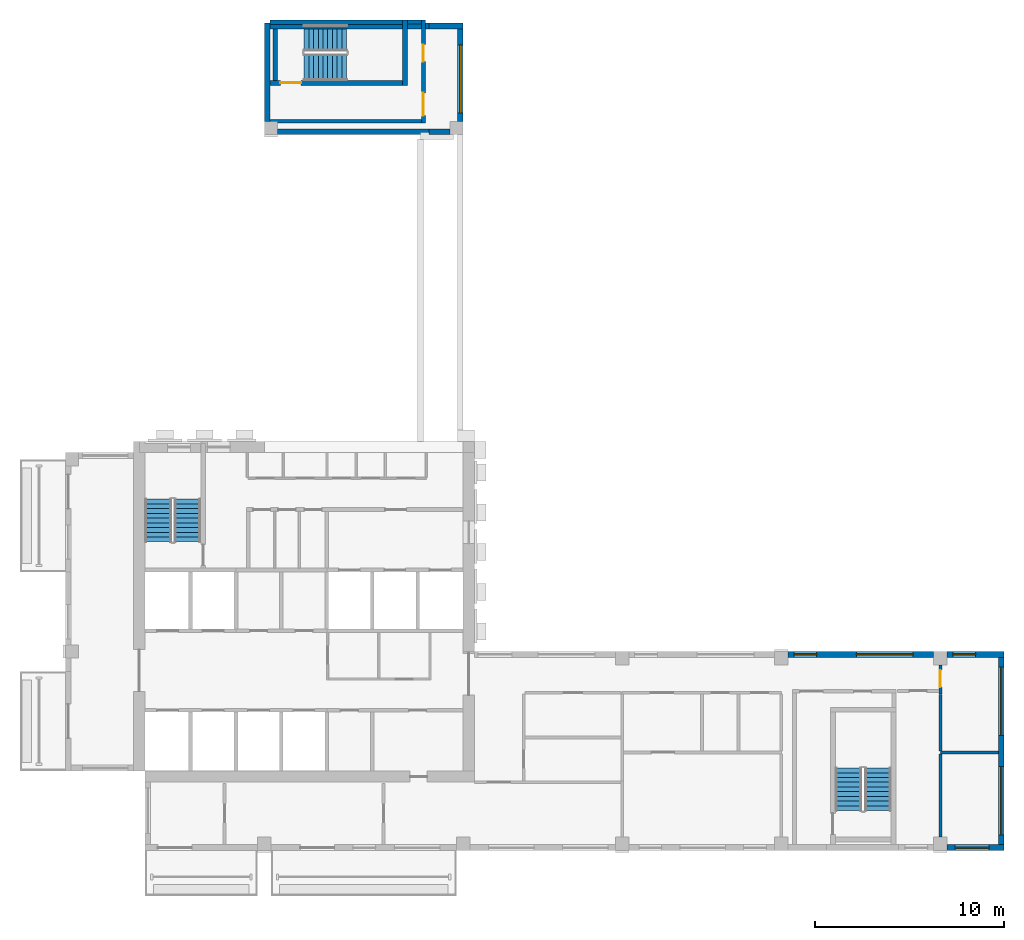
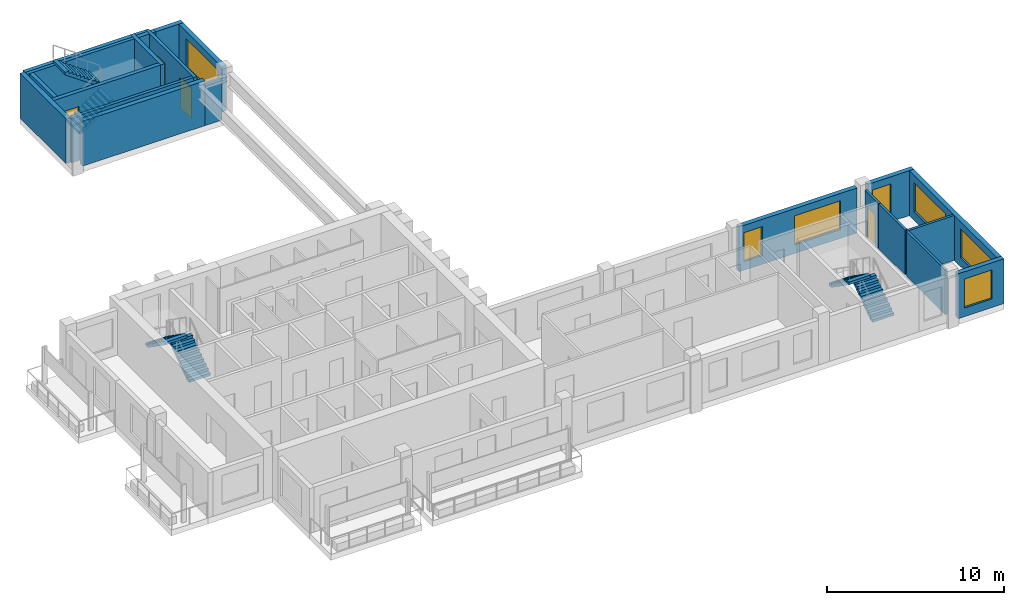
# One storey, part 5 of 9: 21 walls, 7 windows, 6 stair flights, 4 doors, 11 openings, 3 elements without a shape of their own.
"""IFC4 building model written with IfcOpenShell, lengths in metres."""

from ifc_helpers import new_model, si_unit, direction, frame, frame_2d, origin, place, context, subcontext, project, spatial, polyline, rectangle, outline, extrude, source, transform, mapped, material, layer, layer_set, type_object, element, fill, aggregate, save


model = new_model("IFC4")

# Units and contexts
model_context = context("Model", 3, precision=1e-05, world=origin(), true_north=direction((0.0, 1.0)))
body_context = subcontext(model_context, "Body", "Model", "MODEL_VIEW")
ifc_project = project(units=[si_unit("LENGTHUNIT", "METRE"), si_unit("AREAUNIT", "SQUARE_METRE"), si_unit("VOLUMEUNIT", "CUBIC_METRE"), si_unit("PLANEANGLEUNIT", "RADIAN"), si_unit("MASSUNIT", "GRAM", prefix="KILO")], contexts=[model_context])

# Site, building, storey
site_placement = place(None, origin())
site = spatial("IfcSite", under=ifc_project, at=site_placement, CompositionType="ELEMENT")
building_placement = place(site_placement, origin())
building = spatial("IfcBuilding", under=site, at=building_placement, Name="Aurelian Terraces", CompositionType="ELEMENT")
storey_placement = place(building_placement, frame((0.0, 0.0, 319.5)))
storey = spatial("IfcBuildingStorey", under=building, at=storey_placement, Name="L74", CompositionType="ELEMENT", Elevation=319.5)

# Wall, openings, windows
ifc_material_1 = material(Name="Terracotta rainscreen cladding", Category="masonry")
ifc_layer_1 = layer(ifc_material_1, 0.3)
ifc_layer_set_1 = layer_set([ifc_layer_1], Name="EW-300")
wall_type_1 = type_object("IfcWallType", Name="EW-300", PredefinedType="STANDARD", material=ifc_layer_set_1)
shared_shape_1 = source(origin(), body_context, "Body", "SweptSolid", [
    extrude(rectangle(XDim=7.7, YDim=0.3, at=frame_2d((3.85, 0.0))), origin(), (0.0, 0.0, 1.0), 3.1),
])
wall_1_placement = place(storey_placement, frame((45.85, 10.35, 0.0), z_axis=(0.0, 0.0, 1.0), x_axis=(-1.0, 0.0, 0.0)))
wall_1 = element("IfcWall", 1, at=wall_1_placement, inside=storey, type_object=wall_type_1, Name="External wall L74 F03.8", PredefinedType="STANDARD", context=body_context, shape_type="MappedRepresentation", body=[
    mapped(shared_shape_1, transform((0.0, 0.0, 0.0), scale=1.0)),
])
shared_shape_2 = source(origin(), body_context, "Body", "SweptSolid", [
    extrude(rectangle(XDim=3.0, YDim=2.0, at=frame_2d((1.5, 1.0))), frame((0.0, 0.16, 0.0), z_axis=(0.0, -1.0, 0.0), x_axis=(1.0, 0.0, 0.0)), (0.0, 0.0, 1.0), 0.32),
])
opening_1_placement = place(wall_1_placement, frame((1.09, 0.0, 0.6)))
opening_1 = element("IfcOpeningElement", 2, at=opening_1_placement, cuts=wall_1, Name="Opening W3020", PredefinedType="OPENING", context=body_context, shape_type="MappedRepresentation", body=[
    mapped(shared_shape_2, transform((0.0, 0.0, 0.0), scale=1.0)),
])
shared_shape_3 = source(origin(), body_context, "Body", "SweptSolid", [
    extrude(rectangle(XDim=1.2, YDim=2.0, at=frame_2d((0.6, 1.0))), frame((0.0, 0.16, 0.0), z_axis=(0.0, -1.0, 0.0), x_axis=(1.0, 0.0, 0.0)), (0.0, 0.0, 1.0), 0.32),
])
opening_2_placement = place(wall_1_placement, frame((6.19, 0.0, 0.6)))
opening_2 = element("IfcOpeningElement", 3, at=opening_2_placement, cuts=wall_1, Name="Opening W1220", PredefinedType="OPENING", context=body_context, shape_type="MappedRepresentation", body=[
    mapped(shared_shape_3, transform((0.0, 0.0, 0.0), scale=1.0)),
])
ifc_material_2 = material(Name="Clear glazing", Category="glass")
window_type_1 = type_object("IfcWindowType", Name="W-3000x2000", PartitioningType="SINGLE_PANEL", PredefinedType="WINDOW", material=ifc_material_2)
shared_shape_4 = source(origin(), body_context, "Body", "SweptSolid", [
    extrude(rectangle(XDim=3.0, YDim=2.0, at=frame_2d((1.5, 1.0))), frame((0.0, 0.03, 0.0), z_axis=(0.0, -1.0, 0.0), x_axis=(1.0, 0.0, 0.0)), (0.0, 0.0, 1.0), 0.06),
])
window_1_placement = place(opening_1_placement, origin())
window_1 = element("IfcWindow", 4, at=window_1_placement, inside=storey, type_object=window_type_1, Name="Window L74 L74-F03-08-1", OverallHeight=2.0, OverallWidth=3.0, PartitioningType="SINGLE_PANEL", PredefinedType="WINDOW", context=body_context, shape_type="MappedRepresentation", body=[
    mapped(shared_shape_4, transform((0.0, 0.0, 0.0), scale=1.0)),
])
fill(opening_1, window_1)
window_type_2 = type_object("IfcWindowType", Name="W-1200x2000", PartitioningType="SINGLE_PANEL", PredefinedType="WINDOW", material=ifc_material_2)
shared_shape_5 = source(origin(), body_context, "Body", "SweptSolid", [
    extrude(rectangle(XDim=1.2, YDim=2.0, at=frame_2d((0.6, 1.0))), frame((0.0, 0.03, 0.0), z_axis=(0.0, -1.0, 0.0), x_axis=(1.0, 0.0, 0.0)), (0.0, 0.0, 1.0), 0.06),
])
window_2_placement = place(opening_2_placement, origin())
window_2 = element("IfcWindow", 5, at=window_2_placement, inside=storey, type_object=window_type_2, Name="Window L74 L74-F03-08-2", OverallHeight=2.0, OverallWidth=1.2, PartitioningType="SINGLE_PANEL", PredefinedType="WINDOW", context=body_context, shape_type="MappedRepresentation", body=[
    mapped(shared_shape_5, transform((0.0, 0.0, 0.0), scale=1.0)),
])
fill(opening_2, window_2)

# Wall, opening, window
shared_shape_6 = source(origin(), body_context, "Body", "SweptSolid", [
    extrude(rectangle(XDim=3.01, YDim=0.3, at=frame_2d((1.505, 0.0))), origin(), (0.0, 0.0, 1.0), 3.1),
])
wall_2_placement = place(storey_placement, frame((46.55, 0.15, 0.0), z_axis=(0.0, 0.0, 1.0), x_axis=(1.0, 0.0, 0.0)))
wall_2 = element("IfcWall", 6, at=wall_2_placement, inside=storey, type_object=wall_type_1, Name="External wall L74 F01.6", PredefinedType="STANDARD", context=body_context, shape_type="MappedRepresentation", body=[
    mapped(shared_shape_6, transform((0.0, 0.0, 0.0), scale=1.0)),
])
shared_shape_7 = source(origin(), body_context, "Body", "SweptSolid", [
    extrude(rectangle(XDim=1.8, YDim=2.0, at=frame_2d((0.9, 1.0))), frame((0.0, 0.16, 0.0), z_axis=(0.0, -1.0, 0.0), x_axis=(1.0, 0.0, 0.0)), (0.0, 0.0, 1.0), 0.32),
])
opening_3_placement = place(wall_2_placement, frame((0.43, 0.0, 0.6)))
opening_3 = element("IfcOpeningElement", 7, at=opening_3_placement, cuts=wall_2, Name="Opening W1820", PredefinedType="OPENING", context=body_context, shape_type="MappedRepresentation", body=[
    mapped(shared_shape_7, transform((0.0, 0.0, 0.0), scale=1.0)),
])
window_type_3 = type_object("IfcWindowType", Name="W-1800x2000", PartitioningType="SINGLE_PANEL", PredefinedType="WINDOW", material=ifc_material_2)
shared_shape_8 = source(origin(), body_context, "Body", "SweptSolid", [
    extrude(rectangle(XDim=1.8, YDim=2.0, at=frame_2d((0.9, 1.0))), frame((0.0, 0.03, 0.0), z_axis=(0.0, -1.0, 0.0), x_axis=(1.0, 0.0, 0.0)), (0.0, 0.0, 1.0), 0.06),
])
window_3_placement = place(opening_3_placement, origin())
window_3 = element("IfcWindow", 8, at=window_3_placement, inside=storey, type_object=window_type_3, Name="Window L74 L74-F01-06-0", OverallHeight=2.0, OverallWidth=1.8, PartitioningType="SINGLE_PANEL", PredefinedType="WINDOW", context=body_context, shape_type="MappedRepresentation", body=[
    mapped(shared_shape_8, transform((0.0, 0.0, 0.0), scale=1.0)),
])
fill(opening_3, window_3)

wall_3_placement = place(storey_placement, frame((49.56, 10.35, 0.0), z_axis=(0.0, 0.0, 1.0), x_axis=(-1.0, 0.0, 0.0)))
wall_3 = element("IfcWall", 9, at=wall_3_placement, inside=storey, type_object=wall_type_1, Name="External wall L74 F03.8", PredefinedType="STANDARD", context=body_context, shape_type="MappedRepresentation", body=[
    mapped(shared_shape_6, transform((0.0, 0.0, 0.0), scale=1.0)),
])
opening_4_placement = place(wall_3_placement, frame((1.5, 0.0, 0.6)))
opening_4 = element("IfcOpeningElement", 10, at=opening_4_placement, cuts=wall_3, Name="Opening W1220", PredefinedType="OPENING", context=body_context, shape_type="MappedRepresentation", body=[
    mapped(shared_shape_3, transform((0.0, 0.0, 0.0), scale=1.0)),
])
window_4_placement = place(opening_4_placement, origin())
window_4 = element("IfcWindow", 11, at=window_4_placement, inside=storey, type_object=window_type_2, Name="Window L74 L74-F03-08-0", OverallHeight=2.0, OverallWidth=1.2, PartitioningType="SINGLE_PANEL", PredefinedType="WINDOW", context=body_context, shape_type="MappedRepresentation", body=[
    mapped(shared_shape_5, transform((0.0, 0.0, 0.0), scale=1.0)),
])
fill(opening_4, window_4)

# Wall, openings, windows
shared_shape_9 = source(origin(), body_context, "Body", "SweptSolid", [
    extrude(rectangle(XDim=10.5, YDim=0.3, at=frame_2d((5.25, 0.0))), origin(), (0.0, 0.0, 1.0), 3.1),
])
wall_4_placement = place(storey_placement, frame((49.41, 0.0, 0.0), z_axis=(0.0, 0.0, 1.0), x_axis=(0.0, 1.0, 0.0)))
wall_4 = element("IfcWall", 12, at=wall_4_placement, inside=storey, type_object=wall_type_1, Name="External wall L74 F02.7", PredefinedType="STANDARD", context=body_context, shape_type="MappedRepresentation", body=[
    mapped(shared_shape_9, transform((0.0, 0.0, 0.0), scale=1.0)),
])
shared_shape_10 = source(origin(), body_context, "Body", "SweptSolid", [
    extrude(rectangle(XDim=3.6, YDim=2.0, at=frame_2d((1.8, 1.0))), frame((0.0, 0.16, 0.0), z_axis=(0.0, -1.0, 0.0), x_axis=(1.0, 0.0, 0.0)), (0.0, 0.0, 1.0), 0.32),
])
opening_5_placement = place(wall_4_placement, frame((0.825, 0.0, 0.6)))
opening_5 = element("IfcOpeningElement", 13, at=opening_5_placement, cuts=wall_4, Name="Opening W3620", PredefinedType="OPENING", context=body_context, shape_type="MappedRepresentation", body=[
    mapped(shared_shape_10, transform((0.0, 0.0, 0.0), scale=1.0)),
])
opening_6_placement = place(wall_4_placement, frame((6.075, 0.0, 0.6)))
opening_6 = element("IfcOpeningElement", 14, at=opening_6_placement, cuts=wall_4, Name="Opening W3620", PredefinedType="OPENING", context=body_context, shape_type="MappedRepresentation", body=[
    mapped(shared_shape_10, transform((0.0, 0.0, 0.0), scale=1.0)),
])
window_type_4 = type_object("IfcWindowType", Name="W-3600x2000", PartitioningType="SINGLE_PANEL", PredefinedType="WINDOW", material=ifc_material_2)
shared_shape_11 = source(origin(), body_context, "Body", "SweptSolid", [
    extrude(rectangle(XDim=3.6, YDim=2.0, at=frame_2d((1.8, 1.0))), frame((0.0, 0.03, 0.0), z_axis=(0.0, -1.0, 0.0), x_axis=(1.0, 0.0, 0.0)), (0.0, 0.0, 1.0), 0.06),
])
window_5_placement = place(opening_5_placement, origin())
window_5 = element("IfcWindow", 15, at=window_5_placement, inside=storey, type_object=window_type_4, Name="Window L74 L74-F02-07-0", OverallHeight=2.0, OverallWidth=3.6, PartitioningType="SINGLE_PANEL", PredefinedType="WINDOW", context=body_context, shape_type="MappedRepresentation", body=[
    mapped(shared_shape_11, transform((0.0, 0.0, 0.0), scale=1.0)),
])
fill(opening_5, window_5)
window_6_placement = place(opening_6_placement, origin())
window_6 = element("IfcWindow", 16, at=window_6_placement, inside=storey, type_object=window_type_4, Name="Window L74 L74-F02-07-1", OverallHeight=2.0, OverallWidth=3.6, PartitioningType="SINGLE_PANEL", PredefinedType="WINDOW", context=body_context, shape_type="MappedRepresentation", body=[
    mapped(shared_shape_11, transform((0.0, 0.0, 0.0), scale=1.0)),
])
fill(opening_6, window_6)

# Walls
shared_shape_12 = source(origin(), body_context, "Body", "SweptSolid", [
    extrude(rectangle(XDim=1.8, YDim=0.3, at=frame_2d((0.9, 0.0))), origin(), (0.0, 0.0, 1.0), 3.1),
])
wall_5_placement = place(storey_placement, frame((21.0, 43.53, 0.0), z_axis=(0.0, 0.0, 1.0), x_axis=(-1.0, 0.0, 0.0)))
element("IfcWall", 17, at=wall_5_placement, inside=storey, type_object=wall_type_1, Name="External wall L74 F17.25", PredefinedType="STANDARD", context=body_context, shape_type="MappedRepresentation", body=[
    mapped(shared_shape_12, transform((0.0, 0.0, 0.0), scale=1.0)),
])
ifc_material_3 = material(Name="Concrete fc' 40 MPa", Category="concrete")
ifc_layer_2 = layer(ifc_material_3, 0.3)
ifc_layer_set_2 = layer_set([ifc_layer_2], Name="STAIR BAY WALL 300")
wall_type_2 = type_object("IfcWallType", Name="STAIR BAY WALL 300", PredefinedType="SOLIDWALL", material=ifc_layer_set_2)
shared_shape_13 = source(origin(), body_context, "Body", "SweptSolid", [
    extrude(rectangle(XDim=8.6, YDim=0.3, at=frame_2d((4.3, 0.0))), origin(), (0.0, 0.0, 1.0), 3.1),
])
wall_6_placement = place(storey_placement, frame((19.2, 43.53, 0.0), z_axis=(0.0, 0.0, 1.0), x_axis=(-1.0, 0.0, 0.0)))
element("IfcWall", 18, at=wall_6_placement, inside=storey, type_object=wall_type_2, Name="Stair bay wall L74 F17.25", PredefinedType="SOLIDWALL", context=body_context, shape_type="MappedRepresentation", body=[
    mapped(shared_shape_13, transform((0.0, 0.0, 0.0), scale=1.0)),
])
shared_shape_14 = source(origin(), body_context, "Body", "SweptSolid", [
    extrude(rectangle(XDim=8.0, YDim=0.3, at=frame_2d((4.0, 0.0))), origin(), (0.0, 0.0, 1.0), 3.1),
])
wall_7_placement = place(storey_placement, frame((11.2, 37.95, 0.0), z_axis=(0.0, 0.0, 1.0), x_axis=(1.0, 0.0, 0.0)))
element("IfcWall", 19, at=wall_7_placement, inside=storey, type_object=wall_type_2, Name="Stair bay wall L74 F15.23", PredefinedType="SOLIDWALL", context=body_context, shape_type="MappedRepresentation", body=[
    mapped(shared_shape_14, transform((0.0, 0.0, 0.0), scale=1.0)),
])

# Wall, opening, window
shared_shape_15 = source(origin(), body_context, "Body", "SweptSolid", [
    extrude(rectangle(XDim=5.18, YDim=0.3, at=frame_2d((2.59, 0.0))), origin(), (0.0, 0.0, 1.0), 3.1),
])
wall_8_placement = place(storey_placement, frame((20.85, 38.5, 0.0), z_axis=(0.0, 0.0, 1.0), x_axis=(0.0, 1.0, 0.0)))
wall_8 = element("IfcWall", 20, at=wall_8_placement, inside=storey, type_object=wall_type_1, Name="External wall L74 F16.24", PredefinedType="STANDARD", context=body_context, shape_type="MappedRepresentation", body=[
    mapped(shared_shape_15, transform((0.0, 0.0, 0.0), scale=1.0)),
])
opening_7_placement = place(wall_8_placement, frame((0.44, 0.0, 0.6)))
opening_7 = element("IfcOpeningElement", 21, at=opening_7_placement, cuts=wall_8, Name="Opening W3620", PredefinedType="OPENING", context=body_context, shape_type="MappedRepresentation", body=[
    mapped(shared_shape_10, transform((0.0, 0.0, 0.0), scale=1.0)),
])
window_7_placement = place(opening_7_placement, origin())
window_7 = element("IfcWindow", 22, at=window_7_placement, inside=storey, type_object=window_type_4, Name="Window L74 L74-F16-24-0", OverallHeight=2.0, OverallWidth=3.6, PartitioningType="SINGLE_PANEL", PredefinedType="WINDOW", context=body_context, shape_type="MappedRepresentation", body=[
    mapped(shared_shape_11, transform((0.0, 0.0, 0.0), scale=1.0)),
])
fill(opening_7, window_7)

# Walls
shared_shape_16 = source(origin(), body_context, "Body", "SweptSolid", [
    extrude(rectangle(XDim=5.18, YDim=0.3, at=frame_2d((2.59, 0.0))), origin(), (0.0, 0.0, 1.0), 3.1),
])
wall_9_placement = place(storey_placement, frame((10.65, 43.68, 0.0), z_axis=(0.0, 0.0, 1.0), x_axis=(0.0, -1.0, 0.0)))
element("IfcWall", 23, at=wall_9_placement, inside=storey, type_object=wall_type_2, Name="Stair bay wall L74 F18.26", PredefinedType="SOLIDWALL", context=body_context, shape_type="MappedRepresentation", body=[
    mapped(shared_shape_16, transform((0.0, 0.0, 0.0), scale=1.0)),
])
shared_shape_17 = source(origin(), body_context, "Body", "SweptSolid", [
    extrude(rectangle(XDim=1.1, YDim=0.3, at=frame_2d((0.55, 0.0))), origin(), (0.0, 0.0, 1.0), 2.7438),
])
wall_10_placement = place(storey_placement, frame((19.2, 37.95, 0.0), z_axis=(0.0, 0.0, 1.0), x_axis=(1.0, 0.0, 0.0)))
element("IfcWall", 24, at=wall_10_placement, inside=storey, type_object=wall_type_1, Name="External wall L74 F15.23", PredefinedType="STANDARD", context=body_context, shape_type="MappedRepresentation", body=[
    mapped(shared_shape_17, transform((0.0, 0.0, 0.0), scale=1.0)),
])

# Wall, opening, door
ifc_layer_3 = layer(ifc_material_3, 0.25)
ifc_layer_set_3 = layer_set([ifc_layer_3], Name="Stair enclosure wall 250")
wall_type_3 = type_object("IfcWallType", Name="Stair enclosure wall 250", PredefinedType="SOLIDWALL", material=ifc_layer_set_3)
shared_shape_18 = source(origin(), body_context, "Body", "SweptSolid", [
    extrude(rectangle(XDim=7.0, YDim=0.25, at=frame_2d((3.5, 0.0))), origin(), (0.0, 0.0, 1.0), 3.1),
])
wall_11_placement = place(storey_placement, frame((10.8, 40.525, 0.0), z_axis=(0.0, 0.0, 1.0), x_axis=(1.0, 0.0, 0.0)))
wall_11 = element("IfcWall", 25, at=wall_11_placement, inside=storey, type_object=wall_type_3, Name="L74 core wall ST-S3U-W", PredefinedType="SOLIDWALL", context=body_context, shape_type="MappedRepresentation", body=[
    mapped(shared_shape_18, transform((0.0, 0.0, 0.0), scale=1.0)),
])
shared_shape_19 = source(origin(), body_context, "Body", "SweptSolid", [
    extrude(rectangle(XDim=1.1, YDim=2.1, at=frame_2d((0.55, 1.05))), frame((0.0, 0.135, 0.0), z_axis=(0.0, -1.0, 0.0), x_axis=(1.0, 0.0, 0.0)), (0.0, 0.0, 1.0), 0.27),
])
opening_8_placement = place(wall_11_placement, frame((0.55, 0.0, 0.0)))
opening_8 = element("IfcOpeningElement", 26, at=opening_8_placement, cuts=wall_11, Name="Opening 67728", PredefinedType="OPENING", context=body_context, shape_type="MappedRepresentation", body=[
    mapped(shared_shape_19, transform((0.0, 0.0, 0.0), scale=1.0)),
])
ifc_material_4 = material(Name="Steel door leaf", Category="steel")
door_type_1 = type_object("IfcDoorType", Name="Core fire door 1100x2100 right", OperationType="SINGLE_SWING_RIGHT", PredefinedType="DOOR", material=ifc_material_4)
shared_shape_20 = source(origin(), body_context, "Body", "SweptSolid", [
    extrude(rectangle(XDim=1.1, YDim=2.1, at=frame_2d((0.55, 1.05))), frame((0.0, 0.025, 0.0), z_axis=(0.0, -1.0, 0.0), x_axis=(1.0, 0.0, 0.0)), (0.0, 0.0, 1.0), 0.05),
])
door_1_placement = place(opening_8_placement, origin())
door_1 = element("IfcDoor", 27, at=door_1_placement, inside=storey, type_object=door_type_1, Name="Stair door 67728", OperationType="SINGLE_SWING_RIGHT", OverallHeight=2.1, OverallWidth=1.1, PredefinedType="DOOR", context=body_context, shape_type="MappedRepresentation", body=[
    mapped(shared_shape_20, transform((0.0, 0.0, 0.0), scale=1.0)),
])
fill(opening_8, door_1)

# Walls
wall_12_placement = place(storey_placement, frame((10.8, 43.725, 0.0), z_axis=(0.0, 0.0, 1.0), x_axis=(1.0, 0.0, 0.0)))
element("IfcWall", 28, at=wall_12_placement, inside=storey, type_object=wall_type_3, Name="L74 core wall ST-S3U-E", PredefinedType="SOLIDWALL", context=body_context, shape_type="MappedRepresentation", body=[
    mapped(shared_shape_18, transform((0.0, 0.0, 0.0), scale=1.0)),
])
shared_shape_21 = source(origin(), body_context, "Body", "SweptSolid", [
    extrude(rectangle(XDim=3.45, YDim=0.25, at=frame_2d((1.725, 0.0))), origin(), (0.0, 0.0, 1.0), 3.1),
])
wall_13_placement = place(storey_placement, frame((17.925, 40.4, 0.0), z_axis=(0.0, 0.0, 1.0), x_axis=(0.0, 1.0, 0.0)))
element("IfcWall", 29, at=wall_13_placement, inside=storey, type_object=wall_type_3, Name="L74 core wall ST-S3U-N", PredefinedType="SOLIDWALL", context=body_context, shape_type="MappedRepresentation", body=[
    mapped(shared_shape_21, transform((0.0, 0.0, 0.0), scale=1.0)),
])
ifc_material_5 = material(Name="Gypsum board on steel studs", Category="steel")
ifc_layer_4 = layer(ifc_material_5, 0.2)
ifc_layer_set_4 = layer_set([ifc_layer_4], Name="Core partition 200")
wall_type_4 = type_object("IfcWallType", Name="Core partition 200", PredefinedType="PARTITIONING", material=ifc_layer_set_4)
shared_shape_22 = source(origin(), body_context, "Body", "SweptSolid", [
    extrude(rectangle(XDim=8.0, YDim=0.2, at=frame_2d((4.0, 0.0))), origin(), (0.0, 0.0, 1.0), 3.1),
])
wall_14_placement = place(storey_placement, frame((10.8, 38.5, 0.0), z_axis=(0.0, 0.0, 1.0), x_axis=(1.0, 0.0, 0.0)))
element("IfcWall", 30, at=wall_14_placement, inside=storey, type_object=wall_type_4, Name="L74 core wall ST-S3U-VW", PredefinedType="PARTITIONING", context=body_context, shape_type="MappedRepresentation", body=[
    mapped(shared_shape_22, transform((0.0, 0.0, 0.0), scale=1.0)),
])

# Wall, openings, doors
shared_shape_23 = source(origin(), body_context, "Body", "SweptSolid", [
    extrude(rectangle(XDim=5.45, YDim=0.2, at=frame_2d((2.725, 0.0))), origin(), (0.0, 0.0, 1.0), 3.1),
])
wall_15_placement = place(storey_placement, frame((18.9, 38.4, 0.0), z_axis=(0.0, 0.0, 1.0), x_axis=(0.0, 1.0, 0.0)))
wall_15 = element("IfcWall", 31, at=wall_15_placement, inside=storey, type_object=wall_type_4, Name="L74 core wall ST-S3U-BN", PredefinedType="PARTITIONING", context=body_context, shape_type="MappedRepresentation", body=[
    mapped(shared_shape_23, transform((0.0, 0.0, 0.0), scale=1.0)),
])
shared_shape_24 = source(origin(), body_context, "Body", "SweptSolid", [
    extrude(rectangle(XDim=1.2, YDim=2.1, at=frame_2d((0.6, 1.05))), frame((0.0, 0.11, 0.0), z_axis=(0.0, -1.0, 0.0), x_axis=(1.0, 0.0, 0.0)), (0.0, 0.0, 1.0), 0.22),
])
opening_9_placement = place(wall_15_placement, frame((0.4, 0.0, 0.0)))
opening_9 = element("IfcOpeningElement", 32, at=opening_9_placement, cuts=wall_15, Name="Opening 67729", PredefinedType="OPENING", context=body_context, shape_type="MappedRepresentation", body=[
    mapped(shared_shape_24, transform((0.0, 0.0, 0.0), scale=1.0)),
])
shared_shape_25 = source(origin(), body_context, "Body", "SweptSolid", [
    extrude(rectangle(XDim=0.9, YDim=2.1, at=frame_2d((0.45, 1.05))), frame((0.0, 0.11, 0.0), z_axis=(0.0, -1.0, 0.0), x_axis=(1.0, 0.0, 0.0)), (0.0, 0.0, 1.0), 0.22),
])
opening_10_placement = place(wall_15_placement, frame((3.25, 0.0, 0.0)))
opening_10 = element("IfcOpeningElement", 33, at=opening_10_placement, cuts=wall_15, Name="Opening 67730", PredefinedType="OPENING", context=body_context, shape_type="MappedRepresentation", body=[
    mapped(shared_shape_25, transform((0.0, 0.0, 0.0), scale=1.0)),
])
door_type_2 = type_object("IfcDoorType", Name="Core riser door 900x2100 right", OperationType="SINGLE_SWING_RIGHT", PredefinedType="DOOR", material=ifc_material_4)
shared_shape_26 = source(origin(), body_context, "Body", "SweptSolid", [
    extrude(rectangle(XDim=0.9, YDim=2.1, at=frame_2d((0.45, 1.05))), frame((0.0, 0.025, 0.0), z_axis=(0.0, -1.0, 0.0), x_axis=(1.0, 0.0, 0.0)), (0.0, 0.0, 1.0), 0.05),
])
door_2_placement = place(opening_10_placement, origin())
door_2 = element("IfcDoor", 34, at=door_2_placement, inside=storey, type_object=door_type_2, Name="Riser door 67730", OperationType="SINGLE_SWING_RIGHT", OverallHeight=2.1, OverallWidth=0.9, PredefinedType="DOOR", context=body_context, shape_type="MappedRepresentation", body=[
    mapped(shared_shape_26, transform((0.0, 0.0, 0.0), scale=1.0)),
])
fill(opening_10, door_2)
door_type_3 = type_object("IfcDoorType", Name="Core fire door 1200x2100", OperationType="SINGLE_SWING_LEFT", PredefinedType="DOOR", material=ifc_material_4)
shared_shape_27 = source(origin(), body_context, "Body", "SweptSolid", [
    extrude(rectangle(XDim=1.2, YDim=2.1, at=frame_2d((0.6, 1.05))), frame((0.0, 0.025, 0.0), z_axis=(0.0, -1.0, 0.0), x_axis=(1.0, 0.0, 0.0)), (0.0, 0.0, 1.0), 0.05),
])
door_3_placement = place(opening_9_placement, origin())
door_3 = element("IfcDoor", 35, at=door_3_placement, inside=storey, type_object=door_type_3, Name="Vestibule door 67729", OperationType="SINGLE_SWING_LEFT", OverallHeight=2.1, OverallWidth=1.2, PredefinedType="DOOR", context=body_context, shape_type="MappedRepresentation", body=[
    mapped(shared_shape_27, transform((0.0, 0.0, 0.0), scale=1.0)),
])
fill(opening_9, door_3)

# Walls
shared_shape_28 = source(origin(), body_context, "Body", "SweptSolid", [
    extrude(rectangle(XDim=0.75, YDim=0.2, at=frame_2d((0.375, 0.0))), origin(), (0.0, 0.0, 1.0), 3.1),
])
wall_16_placement = place(storey_placement, frame((18.05, 43.75, 0.0), z_axis=(0.0, 0.0, 1.0), x_axis=(1.0, 0.0, 0.0)))
element("IfcWall", 36, at=wall_16_placement, inside=storey, type_object=wall_type_4, Name="L74 core wall ST-S3U-RE", PredefinedType="PARTITIONING", context=body_context, shape_type="MappedRepresentation", body=[
    mapped(shared_shape_28, transform((0.0, 0.0, 0.0), scale=1.0)),
])
shared_shape_29 = source(origin(), body_context, "Body", "SweptSolid", [
    extrude(rectangle(XDim=2.73, YDim=0.25, at=frame_2d((1.365, 0.0))), origin(), (0.0, 0.0, 1.0), 3.1),
])
wall_17_placement = place(storey_placement, frame((11.075, 40.65, 0.0), z_axis=(0.0, 0.0, 1.0), x_axis=(0.0, 1.0, 0.0)))
element("IfcWall", 37, at=wall_17_placement, inside=storey, type_object=wall_type_3, Name="L74 core wall ST-S3U-SS", PredefinedType="SOLIDWALL", context=body_context, shape_type="MappedRepresentation", body=[
    mapped(shared_shape_29, transform((0.0, 0.0, 0.0), scale=1.0)),
])
ifc_layer_5 = layer(ifc_material_5, 0.15)
ifc_layer_set_5 = layer_set([ifc_layer_5], Name="Partition 150")
wall_type_5 = type_object("IfcWallType", Name="Partition 150", PredefinedType="PARTITIONING", material=ifc_layer_set_5)
shared_shape_30 = source(origin(), body_context, "Body", "SweptSolid", [
    extrude(rectangle(XDim=3.06, YDim=0.15, at=frame_2d((1.53, 0.0))), origin(), (0.0, 0.0, 1.0), 3.1),
])
wall_18_placement = place(storey_placement, frame((49.26, 5.175, 0.0), z_axis=(0.0, 0.0, 1.0), x_axis=(-1.0, 0.0, 0.0)))
element("IfcWall", 38, at=wall_18_placement, inside=storey, type_object=wall_type_5, Name="Partition", PredefinedType="PARTITIONING", context=body_context, shape_type="MappedRepresentation", body=[
    mapped(shared_shape_30, transform((0.0, 0.0, 0.0), scale=1.0)),
])

# Wall, opening, door
shared_shape_31 = source(origin(), body_context, "Body", "SweptSolid", [
    extrude(rectangle(XDim=1.551, YDim=0.15, at=frame_2d((0.7755, 0.0))), origin(), (0.0, 0.0, 1.0), 3.1),
])
wall_19_placement = place(storey_placement, frame((46.2, 9.801, 0.0), z_axis=(0.0, 0.0, 1.0), x_axis=(0.0, -1.0, 0.0)))
wall_19 = element("IfcWall", 39, at=wall_19_placement, inside=storey, type_object=wall_type_5, Name="Partition", PredefinedType="PARTITIONING", context=body_context, shape_type="MappedRepresentation", body=[
    mapped(shared_shape_31, transform((0.0, 0.0, 0.0), scale=1.0)),
])
shared_shape_32 = source(origin(), body_context, "Body", "SweptSolid", [
    extrude(rectangle(XDim=0.9, YDim=2.1, at=frame_2d((0.45, 1.05))), frame((0.0, 0.085, 0.0), z_axis=(0.0, -1.0, 0.0), x_axis=(1.0, 0.0, 0.0)), (0.0, 0.0, 1.0), 0.17),
])
opening_11_placement = place(wall_19_placement, frame((0.275, 0.0, 0.0)))
opening_11 = element("IfcOpeningElement", 40, at=opening_11_placement, cuts=wall_19, Name="Opening 774011", PredefinedType="OPENING", context=body_context, shape_type="MappedRepresentation", body=[
    mapped(shared_shape_32, transform((0.0, 0.0, 0.0), scale=1.0)),
])
ifc_material_6 = material(Name="Timber door leaf", Category="wood")
door_type_4 = type_object("IfcDoorType", Name="Room door 900x2100 left", OperationType="SINGLE_SWING_LEFT", PredefinedType="DOOR", material=ifc_material_6)
door_4_placement = place(opening_11_placement, origin())
door_4 = element("IfcDoor", 41, at=door_4_placement, inside=storey, type_object=door_type_4, Name="Door 774011", OperationType="SINGLE_SWING_LEFT", OverallHeight=2.1, OverallWidth=0.9, PredefinedType="DOOR", context=body_context, shape_type="MappedRepresentation", body=[
    mapped(shared_shape_26, transform((0.0, 0.0, 0.0), scale=1.0)),
])
fill(opening_11, door_4)

# Walls
ifc_layer_6 = layer(ifc_material_5, 0.15)
ifc_layer_set_6 = layer_set([ifc_layer_6], Name="Fire partition 150")
wall_type_6 = type_object("IfcWallType", Name="Fire partition 150", PredefinedType="PARTITIONING", material=ifc_layer_set_6)
shared_shape_33 = source(origin(), body_context, "Body", "SweptSolid", [
    extrude(rectangle(XDim=4.401, YDim=0.15, at=frame_2d((2.2005, 0.0))), origin(), (0.0, 0.0, 1.0), 3.1),
])
wall_20_placement = place(storey_placement, frame((46.2, 0.699, 0.0), z_axis=(0.0, 0.0, 1.0), x_axis=(0.0, 1.0, 0.0)))
element("IfcWall", 42, at=wall_20_placement, inside=storey, type_object=wall_type_6, Name="Party wall", PredefinedType="PARTITIONING", context=body_context, shape_type="MappedRepresentation", body=[
    mapped(shared_shape_33, transform((0.0, 0.0, 0.0), scale=1.0)),
])
shared_shape_34 = source(origin(), body_context, "Body", "SweptSolid", [
    extrude(rectangle(XDim=2.98, YDim=0.15, at=frame_2d((1.49, 0.0))), origin(), (0.0, 0.0, 1.0), 3.1),
])
wall_21_placement = place(storey_placement, frame((46.2, 5.25, 0.0), z_axis=(0.0, 0.0, 1.0), x_axis=(0.0, 1.0, 0.0)))
element("IfcWall", 43, at=wall_21_placement, inside=storey, type_object=wall_type_6, Name="Party wall", PredefinedType="PARTITIONING", context=body_context, shape_type="MappedRepresentation", body=[
    mapped(shared_shape_34, transform((0.0, 0.0, 0.0), scale=1.0)),
])

# Stair, stair flights
stair_type = type_object("IfcStairType", Name="Stair 1400", PredefinedType="HALF_TURN_STAIR", material=ifc_material_3)
stair_1_placement = place(storey_placement, origin())
stair_1 = element("IfcStair", 44, at=stair_1_placement, inside=storey, type_object=stair_type, Name="L74 S1", PredefinedType="HALF_TURN_STAIR")
stair_flight_type = type_object("IfcStairFlightType", Name="Stair flight 1400", PredefinedType="STRAIGHT", material=ifc_material_3)
shared_shape_35 = source(origin(), body_context, "Body", "SweptSolid", [
    extrude(outline(polyline([(0.0, 0.0), (0.0, 0.175), (0.25, 0.175), (0.25, 0.35), (0.5, 0.35), (0.5, 0.525), (0.75, 0.525), (0.75, 0.7), (1.0, 0.7), (1.0, 0.875), (1.25, 0.875), (1.25, 1.05), (1.5, 1.05), (1.5, 1.225), (1.75, 1.225), (1.75, 1.4), (2.0, 1.4), (2.0, 1.575), (2.25, 1.575), (2.25, 1.75), (2.25, 1.3919), (0.2616, 0.0), (0.0, 0.0)])), frame((0.0, 0.7, 0.0), z_axis=(0.0, -1.0, 0.0), x_axis=(1.0, 0.0, 0.0)), (0.0, 0.0, 1.0), 1.4),
])
stair_flight_1_placement = place(storey_placement, frame((6.45, 16.3, 2e-08), z_axis=(0.0, 0.0, 1.0), x_axis=(0.0, 1.0, 0.0)))
stair_flight_1 = element("IfcStairFlight", 45, at=stair_flight_1_placement, type_object=stair_flight_type, Name="S1 flight 1", NumberOfRisers=10, NumberOfTreads=9, PredefinedType="STRAIGHT", RiserHeight=0.175, TreadLength=0.25, context=body_context, shape_type="MappedRepresentation", body=[
    mapped(shared_shape_35, transform((0.0, 0.0, 0.0), scale=1.0)),
])
stair_flight_2_placement = place(storey_placement, frame((4.9, 18.55, 1.75000002), z_axis=(0.0, 0.0, 1.0), x_axis=(0.0, -1.0, 0.0)))
stair_flight_2 = element("IfcStairFlight", 46, at=stair_flight_2_placement, type_object=stair_flight_type, Name="S1 flight 2", NumberOfRisers=10, NumberOfTreads=9, PredefinedType="STRAIGHT", RiserHeight=0.175, TreadLength=0.25, context=body_context, shape_type="MappedRepresentation", body=[
    mapped(shared_shape_35, transform((0.0, 0.0, 0.0), scale=1.0)),
])
aggregate(stair_1, [stair_flight_1, stair_flight_2])

stair_2_placement = place(storey_placement, origin())
stair_2 = element("IfcStair", 47, at=stair_2_placement, inside=storey, type_object=stair_type, Name="L74 S2", PredefinedType="HALF_TURN_STAIR")
stair_flight_3_placement = place(storey_placement, frame((42.9, 2.1, 2e-08), z_axis=(0.0, 0.0, 1.0), x_axis=(0.0, 1.0, 0.0)))
stair_flight_3 = element("IfcStairFlight", 48, at=stair_flight_3_placement, type_object=stair_flight_type, Name="S2 flight 1", NumberOfRisers=10, NumberOfTreads=9, PredefinedType="STRAIGHT", RiserHeight=0.175, TreadLength=0.25, context=body_context, shape_type="MappedRepresentation", body=[
    mapped(shared_shape_35, transform((0.0, 0.0, 0.0), scale=1.0)),
])
stair_flight_4_placement = place(storey_placement, frame((41.35, 4.35, 1.75000002), z_axis=(0.0, 0.0, 1.0), x_axis=(0.0, -1.0, 0.0)))
stair_flight_4 = element("IfcStairFlight", 49, at=stair_flight_4_placement, type_object=stair_flight_type, Name="S2 flight 2", NumberOfRisers=10, NumberOfTreads=9, PredefinedType="STRAIGHT", RiserHeight=0.175, TreadLength=0.25, context=body_context, shape_type="MappedRepresentation", body=[
    mapped(shared_shape_35, transform((0.0, 0.0, 0.0), scale=1.0)),
])
aggregate(stair_2, [stair_flight_3, stair_flight_4])

stair_3_placement = place(storey_placement, origin())
stair_3 = element("IfcStair", 50, at=stair_3_placement, inside=storey, type_object=stair_type, Name="L74 S3U", PredefinedType="HALF_TURN_STAIR")
stair_flight_5_placement = place(storey_placement, frame((12.6, 41.35, 2e-08), z_axis=(0.0, 0.0, 1.0), x_axis=(1.0, 0.0, 0.0)))
stair_flight_5 = element("IfcStairFlight", 51, at=stair_flight_5_placement, type_object=stair_flight_type, Name="S3U flight 1", NumberOfRisers=10, NumberOfTreads=9, PredefinedType="STRAIGHT", RiserHeight=0.175, TreadLength=0.25, context=body_context, shape_type="MappedRepresentation", body=[
    mapped(shared_shape_35, transform((0.0, 0.0, 0.0), scale=1.0)),
])
stair_flight_6_placement = place(storey_placement, frame((14.85, 42.9, 1.75000002), z_axis=(0.0, 0.0, 1.0), x_axis=(-1.0, 0.0, 0.0)))
stair_flight_6 = element("IfcStairFlight", 52, at=stair_flight_6_placement, type_object=stair_flight_type, Name="S3U flight 2", NumberOfRisers=10, NumberOfTreads=9, PredefinedType="STRAIGHT", RiserHeight=0.175, TreadLength=0.25, context=body_context, shape_type="MappedRepresentation", body=[
    mapped(shared_shape_35, transform((0.0, 0.0, 0.0), scale=1.0)),
])
aggregate(stair_3, [stair_flight_5, stair_flight_6])

save(model, "model.ifc")
